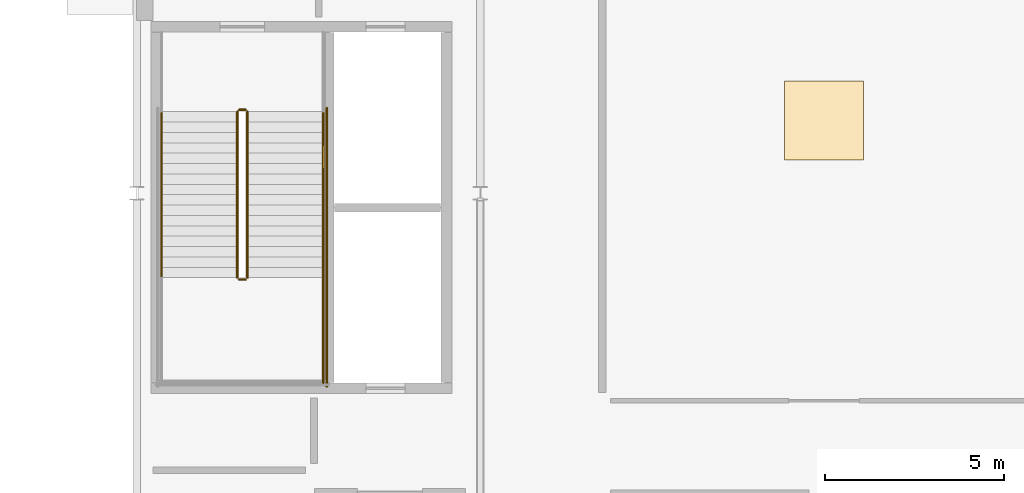
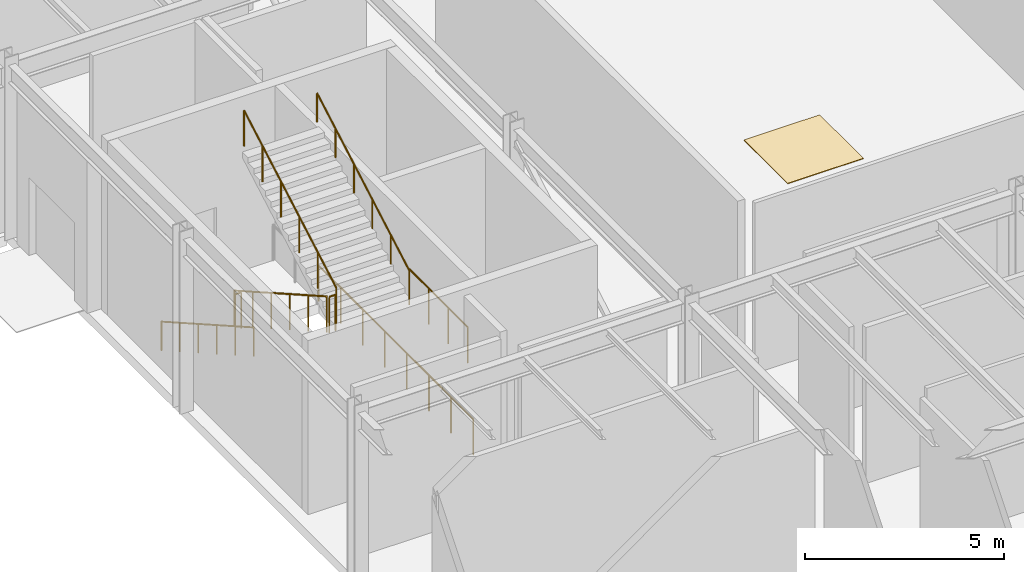
# One storey, part 60 of 70: 8 railings, 1 covering.
"""IFC4 building model written with IfcOpenShell, lengths in metres."""

import ifcopenshell
import ifcopenshell.guid

model = None  # the IFC model being written
_history = None  # IfcOwnerHistory: only IFC2X3 demands one
_inside = {}  # id of a spatial element -> (the spatial element, [elements in it])
_under = {}  # id of a project, library or spatial element -> (it, [spatial elements below it])
_declared = {}  # id of a project -> (the project, [libraries it declares])
_typed = {}  # id of a type object -> (the type object, [elements of that type])
_made_of = {}  # id of a material, layer set ... -> (it, [elements and type objects made of it])


def new_model(schema):
    """Start an empty IFC model of exactly this schema.

    Asked for "IFC4X3", IfcOpenShell would pick the latest addendum, in which some entities
    have other attributes; the version numbers below select the first issue.
    IFC2X3 requires an IfcOwnerHistory on every rooted entity: one is made here for all.
    """
    global model, _history
    if schema == "IFC4X3":
        model = ifcopenshell.file(schema_version=(4, 3, 0, 0))
    else:
        model = ifcopenshell.file(schema=schema)
    _inside.clear()
    _under.clear()
    _declared.clear()
    _typed.clear()
    _made_of.clear()
    _history = None
    if model.schema == "IFC2X3":
        org = make("IfcOrganization", Name="unknown")
        user = make(
            "IfcPersonAndOrganization",
            ThePerson=make("IfcPerson", FamilyName="unknown"),
            TheOrganization=org,
        )
        app = make(
            "IfcApplication",
            ApplicationDeveloper=org,
            Version="unknown",
            ApplicationFullName="unknown",
            ApplicationIdentifier="unknown",
        )
        _history = make(
            "IfcOwnerHistory",
            OwningUser=user,
            OwningApplication=app,
            ChangeAction="ADDED",
            CreationDate=0,
        )
    return model


def make(cls, **values):
    """One entity of the class cls with the attributes given. An attribute that is None is left unset."""
    return model.create_entity(
        cls, **{name: value for name, value in values.items() if value is not None}
    )


def rooted(cls, **values):
    """An entity with a GlobalId (a new one), such as an element, a storey or a relation."""
    return make(cls, GlobalId=ifcopenshell.guid.new(), OwnerHistory=_history, **values)


def si_unit(unit_type, name, prefix=None):
    """IfcSIUnit, for example si_unit("LENGTHUNIT", "METRE", prefix="MILLI")."""
    return make("IfcSIUnit", UnitType=unit_type, Prefix=prefix, Name=name)


def assignment(units):
    """IfcUnitAssignment: the units of a project."""
    return None if units is None else make("IfcUnitAssignment", Units=units)


def point(xyz):
    """IfcCartesianPoint."""
    return None if xyz is None else make("IfcCartesianPoint", Coordinates=xyz)


def direction(xyz):
    """IfcDirection."""
    return None if xyz is None else make("IfcDirection", DirectionRatios=xyz)


def frame(location, z_axis=None, x_axis=None):
    """IfcAxis2Placement3D, a coordinate frame: its origin and axes. An axis left out is left unset."""
    return make(
        "IfcAxis2Placement3D",
        Location=point(location),
        Axis=direction(z_axis),
        RefDirection=direction(x_axis),
    )


def frame_2d(location, x_axis=None):
    """IfcAxis2Placement2D, a coordinate frame in the plane: its origin and x axis."""
    return make(
        "IfcAxis2Placement2D", Location=point(location), RefDirection=direction(x_axis)
    )


def origin():
    """The frame at (0, 0, 0) with its axes left unset."""
    return frame((0.0, 0.0, 0.0))


def origin_2d():
    """The frame at (0, 0) in the plane with its x axis left unset."""
    return frame_2d((0.0, 0.0))


def place(relative_to, where):
    """IfcLocalPlacement: puts the frame where relative to a parent placement (None: the world)."""
    return make(
        "IfcLocalPlacement", PlacementRelTo=relative_to, RelativePlacement=where
    )


def context(
    kind, dimensions, precision=None, world=None, true_north=None, identifier=None
):
    """IfcGeometricRepresentationContext, for example the 3D "Model" context."""
    return make(
        "IfcGeometricRepresentationContext",
        ContextIdentifier=identifier,
        ContextType=kind,
        CoordinateSpaceDimension=dimensions,
        Precision=precision,
        WorldCoordinateSystem=world,
        TrueNorth=true_north,
    )


def subcontext(parent, identifier, kind, view, scale=None):
    """IfcGeometricRepresentationSubContext, for example "Body" below "Model"."""
    return make(
        "IfcGeometricRepresentationSubContext",
        ContextIdentifier=identifier,
        ContextType=kind,
        ParentContext=parent,
        TargetScale=scale,
        TargetView=view,
    )


def project(units=None, contexts=None):
    """IfcProject with its units and contexts."""
    return rooted(
        "IfcProject",
        Name="project",
        RepresentationContexts=contexts,
        UnitsInContext=assignment(units),
    )


def spatial(cls, under=None, at=None, **own):
    """A site, building, storey or space (cls), placed at a placement, below another one or the project."""
    s = rooted(cls, ObjectPlacement=at, **own)
    if under is not None:
        _under.setdefault(under.id(), (under, []))[1].append(s)
    return s


def profile(cls, at=None, kind="AREA", **sizes):
    """A parametric profile (cls). Its sizes go by their IFC names, for example OverallWidth=200.0."""
    return make(cls, ProfileType=kind, Position=at, **sizes)


def rectangle(**sizes):
    """IfcRectangleProfileDef."""
    return profile("IfcRectangleProfileDef", **sizes)


def circle(**sizes):
    """IfcCircleProfileDef."""
    return profile("IfcCircleProfileDef", **sizes)


def extrude(swept, where, along, depth):
    """IfcExtrudedAreaSolid: the profile swept, set in the frame where, extruded along a direction by depth."""
    return make(
        "IfcExtrudedAreaSolid",
        SweptArea=swept,
        Position=where,
        ExtrudedDirection=direction(along),
        Depth=depth,
    )


def shape(context_of_items, identifier, shape_type, items):
    """IfcShapeRepresentation: the items that make up one representation, for example the "Body"."""
    return make(
        "IfcShapeRepresentation",
        ContextOfItems=context_of_items,
        RepresentationIdentifier=identifier,
        RepresentationType=shape_type,
        Items=items,
    )


def material(Name=None, Category=None):
    """IfcMaterial."""
    return make("IfcMaterial", Name=Name, Category=Category)


def layer(
    of_material, thickness, ventilated=None, Name=None, Category=None, Priority=None
):
    """IfcMaterialLayer: one layer of a wall or slab, of a material (None: an air gap)."""
    return make(
        "IfcMaterialLayer",
        Material=of_material,
        LayerThickness=thickness,
        IsVentilated=ventilated,
        Name=Name,
        Category=Category,
        Priority=Priority,
    )


def layer_set(layers, Name=None):
    """IfcMaterialLayerSet."""
    return make("IfcMaterialLayerSet", MaterialLayers=layers, LayerSetName=Name)


def made_of(thing, what):
    """Note that an element or type object is made of a material, layer set ...; save() writes the relation."""
    if what is not None:
        _made_of.setdefault(what.id(), (what, []))[1].append(thing)
    return thing


def type_object(cls, material=None, **own):
    """A type object (cls), such as IfcWallType, which elements share."""
    return made_of(rooted(cls, **own), material)


def element(
    cls,
    number,
    at=None,
    inside=None,
    cuts=None,
    type_object=None,
    material=None,
    context=None,
    identifier="Body",
    shape_type=None,
    held_by="IfcProductDefinitionShape",
    body=None,
    shapes=None,
    **own,
):
    """One element of the class cls, such as IfcWall. Its Tag is "e" and its number.

    at: its placement. inside: the storey or other place that contains it. cuts: it is an
    opening in that element (IfcRelVoidsElement). A single representation is given by context,
    identifier, shape_type and body (its items); several are given by shapes. held_by: the class
    of the entity that holds the representations. save() writes the other relations.
    """
    e = rooted(cls, Tag="e%d" % number, ObjectPlacement=at, **own)
    if body is not None:
        shapes = [shape(context, identifier, shape_type, body)]
    if shapes is not None:
        e.Representation = make(held_by, Representations=shapes)
    if inside is not None:
        _inside.setdefault(inside.id(), (inside, []))[1].append(e)
    if cuts is not None:
        rooted(
            "IfcRelVoidsElement", RelatingBuildingElement=cuts, RelatedOpeningElement=e
        )
    if type_object is not None:
        _typed.setdefault(type_object.id(), (type_object, []))[1].append(e)
    return made_of(e, material)


def aggregate(whole, parts):
    """IfcRelAggregates: a whole, such as a stair, and the parts it consists of."""
    return rooted("IfcRelAggregates", RelatingObject=whole, RelatedObjects=parts)


def save(model, path):
    """Write the relations noted so far, then the file.

    IfcRelAggregates (storeys below a building ...), IfcRelContainedInSpatialStructure (elements
    in a storey), IfcRelDefinesByType, IfcRelAssociatesMaterial and IfcRelDeclares: one each for
    every whole, place, type object, material and project.
    """
    for whole, parts in _under.values():
        aggregate(whole, parts)
    for where, things in _inside.values():
        rooted(
            "IfcRelContainedInSpatialStructure",
            RelatedElements=things,
            RelatingStructure=where,
        )
    for kind, things in _typed.values():
        rooted("IfcRelDefinesByType", RelatedObjects=things, RelatingType=kind)
    for what, things in _made_of.values():
        rooted("IfcRelAssociatesMaterial", RelatedObjects=things, RelatingMaterial=what)
    for by, libraries in _declared.values():
        rooted("IfcRelDeclares", RelatingContext=by, RelatedDefinitions=libraries)
    model.write(path)


model = new_model("IFC4")

# Units and contexts
model_context = context("Model", 3, precision=1e-05, world=origin(), true_north=direction((0.0, 1.0)))
body_context = subcontext(model_context, "Body", "Model", "MODEL_VIEW")
ifc_project = project(units=[si_unit("LENGTHUNIT", "METRE"), si_unit("AREAUNIT", "SQUARE_METRE"), si_unit("VOLUMEUNIT", "CUBIC_METRE"), si_unit("PLANEANGLEUNIT", "RADIAN"), si_unit("MASSUNIT", "GRAM", prefix="KILO")], contexts=[model_context])

# Site, building, storey
site_placement = place(None, origin())
site = spatial("IfcSite", under=ifc_project, at=site_placement, CompositionType="ELEMENT")
building_placement = place(site_placement, origin())
building = spatial("IfcBuilding", under=site, at=building_placement, Name="Sarnbrook Museum", CompositionType="ELEMENT")
storey_placement = place(building_placement, origin())
storey = spatial("IfcBuildingStorey", under=building, at=storey_placement, Name="L00", CompositionType="ELEMENT", Elevation=0.0)

# Covering
ifc_material_1 = material(Name="Honed Bluestone and Marble Terrazzo Flooring", Category="masonry")
ifc_layer_1 = layer(ifc_material_1, 0.02001953125)
ifc_layer_set_1 = layer_set([ifc_layer_1], Name="Honed Bluestone and Marble Terrazzo Flooring")
covering_type = type_object("IfcCoveringType", Name="Floor_Terrazzo20", PredefinedType="FLOORING", material=ifc_layer_set_1)
covering_placement = place(storey_placement, frame((100.0, 67.6298828125, 0.0), z_axis=(0.0, 0.0, 1.0), x_axis=(1.0, 0.0, 0.0)))
element("IfcCovering", 1, at=covering_placement, inside=storey, type_object=covering_type, Name="Gallery Floor Finish Panel L00-08", PredefinedType="FLOORING", context=body_context, shape_type="SweptSolid", body=[
    extrude(rectangle(XDim=2.199951171875, YDim=2.199951171875, at=origin_2d()), origin(), (0.0, 0.0, 1.0), 0.02001953125),
])

# Railings
ifc_material_2 = material(Name="Brushed Stainless Steel Grade 316", Category="steel")
ifc_layer_2 = layer(ifc_material_2, 0.050048828125)
ifc_layer_set_2 = layer_set([ifc_layer_2], Name="Brushed Stainless Steel Grade 316")
railing_type_1 = type_object("IfcRailingType", Name="Guard_Int1120", PredefinedType="BALUSTRADE", material=ifc_layer_set_2)
railing_1_placement = place(storey_placement, frame((83.610107421875, 67.8798828125, 0.164794921875)))
element("IfcRailing", 2, at=railing_1_placement, inside=storey, type_object=railing_type_1, Name="L00 ST3 stair guard 1", PredefinedType="BALUSTRADE", context=body_context, shape_type="SweptSolid", body=[
    extrude(circle(Radius=0.02392578125, at=origin_2d()), frame((0.0, 0.0, 1.09619140625), z_axis=(0.0, -0.869540958685, 0.493860831783), x_axis=(1.0, 0.0, 0.0)), (0.0, 0.0, 1.0), 5.3359375),
    extrude(circle(Radius=0.02099609375, at=origin_2d()), origin(), (0.0, 0.0, 1.0), 1.072021484375),
    extrude(circle(Radius=0.02099609375, at=origin_2d()), frame((0.0, -0.927978515625, 0.527099609375)), (0.0, 0.0, 1.0), 1.072021484375),
    extrude(circle(Radius=0.02099609375, at=origin_2d()), frame((0.0, -1.85595703125, 1.05419921875)), (0.0, 0.0, 1.0), 1.072021484375),
    extrude(circle(Radius=0.02099609375, at=origin_2d()), frame((0.0, -2.783935546875, 1.5810546875)), (0.0, 0.0, 1.0), 1.072021484375),
    extrude(circle(Radius=0.02099609375, at=origin_2d()), frame((0.0, -3.7119140625, 2.108154296875)), (0.0, 0.0, 1.0), 1.072021484375),
    extrude(circle(Radius=0.02099609375, at=origin_2d()), frame((0.0, -4.639892578125, 2.63525390625)), (0.0, 0.0, 1.0), 1.072021484375),
])
railing_2_placement = place(storey_placement, frame((83.659912109375, 63.18994140625, 2.800048828125)))
element("IfcRailing", 3, at=railing_2_placement, inside=storey, type_object=railing_type_1, Name="L00 ST3 stair guard 2", PredefinedType="BALUSTRADE", context=body_context, shape_type="SweptSolid", body=[
    extrude(circle(Radius=0.02392578125, at=origin_2d()), frame((0.0, 0.0, 1.09619140625), z_axis=(1.0, 0.0, 0.0), x_axis=(0.0, 1.0, 0.0)), (0.0, 0.0, 1.0), 0.18017578125),
    extrude(circle(Radius=0.02099609375, at=origin_2d()), origin(), (0.0, 0.0, 1.0), 1.072021484375),
    extrude(circle(Radius=0.02099609375, at=origin_2d()), frame((0.18017578125, 0.0, 0.0)), (0.0, 0.0, 1.0), 1.072021484375),
])
railing_3_placement = place(storey_placement, frame((86.010009765625, 63.239990234375, 2.800048828125)))
element("IfcRailing", 4, at=railing_3_placement, inside=storey, type_object=railing_type_1, Name="L00 ST3 stair guard 4", PredefinedType="BALUSTRADE", context=body_context, shape_type="SweptSolid", body=[
    extrude(circle(Radius=0.02392578125, at=origin_2d()), frame((0.0, 0.0, 1.09619140625), z_axis=(0.0, -1.0, 0.0), x_axis=(1.0, 0.0, 0.0)), (0.0, 0.0, 1.0), 2.93994140625),
    extrude(circle(Radius=0.02099609375, at=origin_2d()), origin(), (0.0, 0.0, 1.0), 1.072021484375),
    extrude(circle(Radius=0.02099609375, at=origin_2d()), frame((0.0, -0.97998046875, 0.0)), (0.0, 0.0, 1.0), 1.072021484375),
    extrude(circle(Radius=0.02099609375, at=origin_2d()), frame((0.0, -1.9599609375, 0.0)), (0.0, 0.0, 1.0), 1.072021484375),
    extrude(circle(Radius=0.02099609375, at=origin_2d()), frame((0.0, -2.93994140625, 0.0)), (0.0, 0.0, 1.0), 1.072021484375),
])
railing_4_placement = place(storey_placement, frame((83.889892578125, 63.239990234375, 2.964599609375)))
element("IfcRailing", 5, at=railing_4_placement, inside=storey, type_object=railing_type_1, Name="L00 ST3 stair guard 6", PredefinedType="BALUSTRADE", context=body_context, shape_type="SweptSolid", body=[
    extrude(circle(Radius=0.02392578125, at=origin_2d()), frame((0.0, 0.0, 1.09619140625), z_axis=(0.0, 0.869521310511, 0.493895424728), x_axis=(-1.0, 0.0, 0.0)), (0.0, 0.0, 1.0), 5.336181640625),
    extrude(circle(Radius=0.02099609375, at=origin_2d()), origin(), (0.0, 0.0, 1.0), 1.072021484375),
    extrude(circle(Radius=0.02099609375, at=origin_2d()), frame((0.0, 0.927978515625, 0.527099609375)), (0.0, 0.0, 1.0), 1.072021484375),
    extrude(circle(Radius=0.02099609375, at=origin_2d()), frame((0.0, 1.85595703125, 1.05419921875)), (0.0, 0.0, 1.0), 1.072021484375),
    extrude(circle(Radius=0.02099609375, at=origin_2d()), frame((0.0, 2.783935546875, 1.581298828125)), (0.0, 0.0, 1.0), 1.072021484375),
    extrude(circle(Radius=0.02099609375, at=origin_2d()), frame((0.0, 3.7119140625, 2.1083984375)), (0.0, 0.0, 1.0), 1.072021484375),
    extrude(circle(Radius=0.02099609375, at=origin_2d()), frame((0.0, 4.639892578125, 2.635498046875)), (0.0, 0.0, 1.0), 1.072021484375),
])
railing_5_placement = place(storey_placement, frame((83.659912109375, 67.929931640625, 0.0)))
element("IfcRailing", 6, at=railing_5_placement, inside=storey, type_object=railing_type_1, Name="L00 ST3 stair guard 7", PredefinedType="BALUSTRADE", context=body_context, shape_type="SweptSolid", body=[
    extrude(circle(Radius=0.02392578125, at=origin_2d()), frame((0.0, 0.0, 1.09619140625), z_axis=(1.0, 0.0, 0.0), x_axis=(0.0, 1.0, 0.0)), (0.0, 0.0, 1.0), 0.18017578125),
    extrude(circle(Radius=0.02099609375, at=origin_2d()), origin(), (0.0, 0.0, 1.0), 1.072021484375),
    extrude(circle(Radius=0.02099609375, at=origin_2d()), frame((0.18017578125, 0.0, 0.0)), (0.0, 0.0, 1.0), 1.072021484375),
])
railing_6_placement = place(storey_placement, frame((86.110107421875, 67.97998046875, 0.0)))
element("IfcRailing", 7, at=railing_6_placement, inside=storey, type_object=railing_type_1, Name="L00 ST3 stair guard 11", PredefinedType="BALUSTRADE", context=body_context, shape_type="SweptSolid", body=[
    extrude(circle(Radius=0.02392578125, at=origin_2d()), frame((0.0, 0.0, 1.09619140625), z_axis=(0.0, -1.0, 0.0), x_axis=(1.0, 0.0, 0.0)), (0.0, 0.0, 1.0), 7.780029296875),
    extrude(circle(Radius=0.02099609375, at=origin_2d()), origin(), (0.0, 0.0, 1.0), 1.072021484375),
    extrude(circle(Radius=0.02099609375, at=origin_2d()), frame((0.0, -1.111328125, 0.0)), (0.0, 0.0, 1.0), 1.072021484375),
    extrude(circle(Radius=0.02099609375, at=origin_2d()), frame((0.0, -2.222900390625, 0.0)), (0.0, 0.0, 1.0), 1.072021484375),
    extrude(circle(Radius=0.02099609375, at=origin_2d()), frame((0.0, -3.334228515625, 0.0)), (0.0, 0.0, 1.0), 1.072021484375),
    extrude(circle(Radius=0.02099609375, at=origin_2d()), frame((0.0, -4.44580078125, 0.0)), (0.0, 0.0, 1.0), 1.072021484375),
    extrude(circle(Radius=0.02099609375, at=origin_2d()), frame((0.0, -5.55712890625, 0.0)), (0.0, 0.0, 1.0), 1.072021484375),
    extrude(circle(Radius=0.02099609375, at=origin_2d()), frame((0.0, -6.668701171875, 0.0)), (0.0, 0.0, 1.0), 1.072021484375),
    extrude(circle(Radius=0.02099609375, at=origin_2d()), frame((0.0, -7.780029296875, 0.0)), (0.0, 0.0, 1.0), 1.072021484375),
])
ifc_layer_3 = layer(ifc_material_2, 0.048095703125)
ifc_layer_set_3 = layer_set([ifc_layer_3], Name="Brushed Stainless Steel Grade 316")
railing_type_2 = type_object("IfcRailingType", Name="Handrail_920", PredefinedType="HANDRAIL", material=ifc_layer_set_3)
railing_7_placement = place(storey_placement, frame((81.489990234375, 67.8798828125, 0.164794921875)))
element("IfcRailing", 8, at=railing_7_placement, inside=storey, type_object=railing_type_2, Name="L00 ST3 stair handrail 1", PredefinedType="HANDRAIL", context=body_context, shape_type="SweptSolid", body=[
    extrude(circle(Radius=0.02392578125, at=origin_2d()), frame((0.0, 0.0, 0.8857421875), z_axis=(0.0, -0.869540958685, 0.493860831783), x_axis=(1.0, 0.0, 0.0)), (0.0, 0.0, 1.0), 5.3359375),
    extrude(circle(Radius=0.02099609375, at=origin_2d()), origin(), (0.0, 0.0, 1.0), 0.86181640625),
    extrude(circle(Radius=0.02099609375, at=origin_2d()), frame((0.0, -0.927978515625, 0.527099609375)), (0.0, 0.0, 1.0), 0.86181640625),
    extrude(circle(Radius=0.02099609375, at=origin_2d()), frame((0.0, -1.85595703125, 1.05419921875)), (0.0, 0.0, 1.0), 0.86181640625),
    extrude(circle(Radius=0.02099609375, at=origin_2d()), frame((0.0, -2.783935546875, 1.5810546875)), (0.0, 0.0, 1.0), 0.86181640625),
    extrude(circle(Radius=0.02099609375, at=origin_2d()), frame((0.0, -3.7119140625, 2.108154296875)), (0.0, 0.0, 1.0), 0.86181640625),
    extrude(circle(Radius=0.02099609375, at=origin_2d()), frame((0.0, -4.639892578125, 2.63525390625)), (0.0, 0.0, 1.0), 0.86181640625),
])
railing_8_placement = place(storey_placement, frame((86.010009765625, 63.239990234375, 2.964599609375)))
element("IfcRailing", 9, at=railing_8_placement, inside=storey, type_object=railing_type_2, Name="L00 ST3 stair handrail 2", PredefinedType="HANDRAIL", context=body_context, shape_type="SweptSolid", body=[
    extrude(circle(Radius=0.02392578125, at=origin_2d()), frame((0.0, 0.0, 0.8857421875), z_axis=(0.0, 0.869521310511, 0.493895424728), x_axis=(-1.0, 0.0, 0.0)), (0.0, 0.0, 1.0), 5.336181640625),
    extrude(circle(Radius=0.02099609375, at=origin_2d()), origin(), (0.0, 0.0, 1.0), 0.86181640625),
    extrude(circle(Radius=0.02099609375, at=origin_2d()), frame((0.0, 0.927978515625, 0.527099609375)), (0.0, 0.0, 1.0), 0.86181640625),
    extrude(circle(Radius=0.02099609375, at=origin_2d()), frame((0.0, 1.85595703125, 1.05419921875)), (0.0, 0.0, 1.0), 0.86181640625),
    extrude(circle(Radius=0.02099609375, at=origin_2d()), frame((0.0, 2.783935546875, 1.581298828125)), (0.0, 0.0, 1.0), 0.86181640625),
    extrude(circle(Radius=0.02099609375, at=origin_2d()), frame((0.0, 3.7119140625, 2.1083984375)), (0.0, 0.0, 1.0), 0.86181640625),
    extrude(circle(Radius=0.02099609375, at=origin_2d()), frame((0.0, 4.639892578125, 2.635498046875)), (0.0, 0.0, 1.0), 0.86181640625),
])

save(model, "model.ifc")
